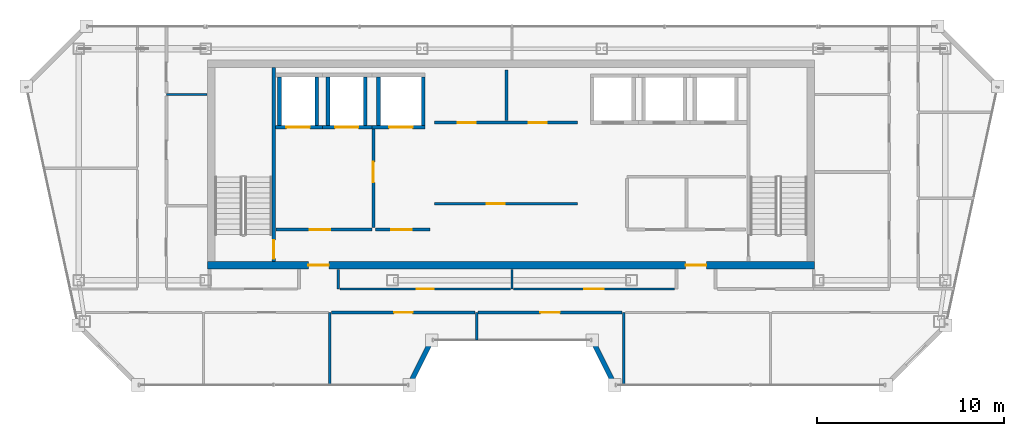
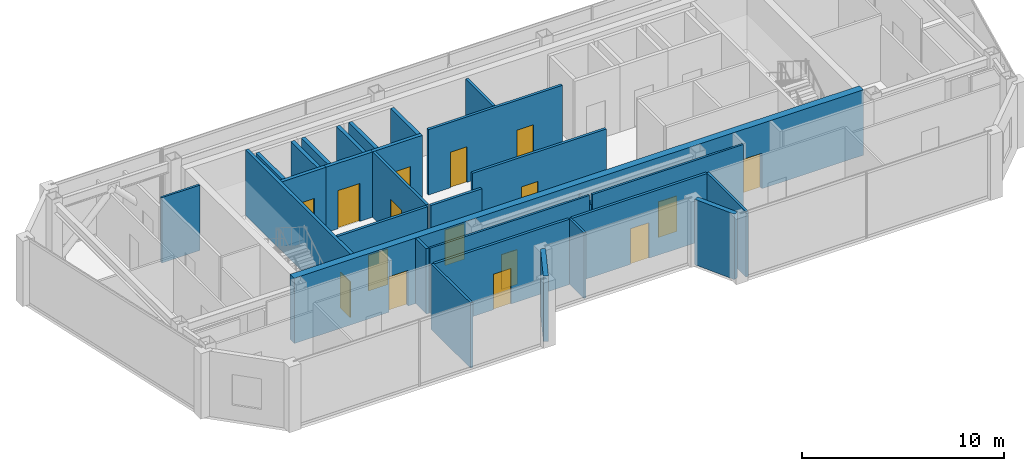
# One storey, part 15 of 20: 29 walls, 16 doors, 16 openings.
"""IFC4 building model written with IfcOpenShell, lengths in metres."""

from ifc_helpers import new_model, si_unit, direction, frame, frame_2d, origin, place, context, subcontext, project, spatial, rectangle, extrude, material, layer, layer_set, type_object, element, fill, save


model = new_model("IFC4")

# Units and contexts
model_context = context("Model", 3, precision=1e-05, world=origin(), true_north=direction((0.0, 1.0)))
body_context = subcontext(model_context, "Body", "Model", "MODEL_VIEW")
ifc_project = project(units=[si_unit("LENGTHUNIT", "METRE"), si_unit("AREAUNIT", "SQUARE_METRE"), si_unit("VOLUMEUNIT", "CUBIC_METRE"), si_unit("PLANEANGLEUNIT", "RADIAN"), si_unit("MASSUNIT", "GRAM", prefix="KILO")], contexts=[model_context])

# Site, building, storey
site_placement = place(None, origin())
site = spatial("IfcSite", under=ifc_project, at=site_placement, CompositionType="ELEMENT")
building_placement = place(site_placement, origin())
building = spatial("IfcBuilding", under=site, at=building_placement, Name="Saevonmaru Cultural Tower", CompositionType="ELEMENT")
storey_placement = place(building_placement, frame((0.0, 0.0, 319.199951171875)))
storey = spatial("IfcBuildingStorey", under=building, at=storey_placement, Name="L76", CompositionType="ELEMENT", Elevation=319.199951171875)

# Wall, openings, doors
ifc_material_1 = material(Name="Concrete C50/60", Category="concrete")
ifc_layer_1 = layer(ifc_material_1, 0.39990234375, Name="Concrete C50/60")
ifc_layer_set_1 = layer_set([ifc_layer_1], Name="Concrete C50/60")
wall_type_1 = type_object("IfcWallType", Name="WL-CORE-400", PredefinedType="SHEAR", material=ifc_layer_set_1)
wall_1_placement = place(storey_placement, frame((13.699951171875, 43.199951171875, 0.0), z_axis=(0.0, 0.0, 1.0), x_axis=(1.0, 0.0, 0.0)))
wall_1 = element("IfcWall", 1, at=wall_1_placement, inside=storey, type_object=wall_type_1, Name="L76 Tower RC core shear wall S", PredefinedType="SHEAR", context=body_context, shape_type="SweptSolid", body=[
    extrude(rectangle(XDim=32.5, YDim=0.39990234375, at=frame_2d((16.25, 0.0))), origin(), (0.0, 0.0, 1.0), 3.949951171875),
])
opening_1_placement = place(wall_1_placement, frame((5.39990234375, 0.0, 0.0)))
opening_1 = element("IfcOpeningElement", 2, at=opening_1_placement, cuts=wall_1, Name="Opening FD-2", PredefinedType="OPENING", context=body_context, shape_type="SweptSolid", body=[
    extrude(rectangle(XDim=1.10009765625, YDim=2.14990234375, at=frame_2d((0.550048828125, 1.074951171875))), frame((0.0, 0.2099609375, 0.0), z_axis=(0.0, -1.0, 0.0), x_axis=(1.0, 0.0, 0.0)), (0.0, 0.0, 1.0), 0.419921875),
])
opening_2_placement = place(wall_1_placement, frame((25.60009765625, 0.0, 0.0)))
opening_2 = element("IfcOpeningElement", 3, at=opening_2_placement, cuts=wall_1, Name="Opening FD-2", PredefinedType="OPENING", context=body_context, shape_type="SweptSolid", body=[
    extrude(rectangle(XDim=1.10009765625, YDim=2.14990234375, at=frame_2d((0.550048828125, 1.074951171875))), frame((0.0, 0.2099609375, 0.0), z_axis=(0.0, -1.0, 0.0), x_axis=(1.0, 0.0, 0.0)), (0.0, 0.0, 1.0), 0.419921875),
])
ifc_material_2 = material(Name="Satin Bronze Anodised Aluminium", Category="aluminium")
door_type_1 = type_object("IfcDoorType", Name="DR-FD60-1100", OperationType="SINGLE_SWING_LEFT", PredefinedType="DOOR", material=ifc_material_2)
door_1_placement = place(opening_1_placement, origin())
door_1 = element("IfcDoor", 4, at=door_1_placement, inside=storey, type_object=door_type_1, Name="L76 Core West Lobby Fire Door", OperationType="SINGLE_SWING_LEFT", OverallHeight=2.14990234375, OverallWidth=1.10009765625, PredefinedType="DOOR", context=body_context, shape_type="SweptSolid", body=[
    extrude(rectangle(XDim=1.10009765625, YDim=2.14990234375, at=frame_2d((0.550048828125, 1.074951171875))), frame((0.0, 0.02490234375, 0.0), z_axis=(0.0, -1.0, 0.0), x_axis=(1.0, 0.0, 0.0)), (0.0, 0.0, 1.0), 0.050048828125),
])
fill(opening_1, door_1)
door_2_placement = place(opening_2_placement, origin())
door_2 = element("IfcDoor", 5, at=door_2_placement, inside=storey, type_object=door_type_1, Name="L76 Core East Lobby Fire Door", OperationType="SINGLE_SWING_LEFT", OverallHeight=2.14990234375, OverallWidth=1.10009765625, PredefinedType="DOOR", context=body_context, shape_type="SweptSolid", body=[
    extrude(rectangle(XDim=1.10009765625, YDim=2.14990234375, at=frame_2d((0.550048828125, 1.074951171875))), frame((0.0, 0.02490234375, 0.0), z_axis=(0.0, -1.0, 0.0), x_axis=(1.0, 0.0, 0.0)), (0.0, 0.0, 1.0), 0.050048828125),
])
fill(opening_2, door_2)

# Wall, opening, door
ifc_material_3 = material(Name="Gypsum Fireboard Partition", Category="gypsum")
ifc_layer_2 = layer(ifc_material_3, 0.14990234375, Name="Gypsum Fireboard Partition")
ifc_layer_set_2 = layer_set([ifc_layer_2], Name="Gypsum Fireboard Partition")
wall_type_2 = type_object("IfcWallType", Name="WL-CORE-PART-150", PredefinedType="PARTITIONING", material=ifc_layer_set_2)
wall_2_placement = place(storey_placement, frame((17.360107421875, 45.1201171875, 0.0), z_axis=(0.0, 0.0, 1.0), x_axis=(1.0, 0.0, 0.0)))
wall_2 = element("IfcWall", 6, at=wall_2_placement, inside=storey, type_object=wall_type_2, Name="L76 Firefighting Lift Lobby South Wall", PredefinedType="PARTITIONING", context=body_context, shape_type="SweptSolid", body=[
    extrude(rectangle(XDim=5.139892578125, YDim=0.14990234375, at=frame_2d((2.56982421875, 0.0))), origin(), (0.0, 0.0, 1.0), 3.949951171875),
])
opening_3_placement = place(wall_2_placement, frame((1.800048828125, 0.0, 0.0)))
opening_3 = element("IfcOpeningElement", 7, at=opening_3_placement, cuts=wall_2, Name="Opening FD-2", PredefinedType="OPENING", context=body_context, shape_type="SweptSolid", body=[
    extrude(rectangle(XDim=1.10009765625, YDim=2.14990234375, at=frame_2d((0.550048828125, 1.074951171875))), frame((0.0, 0.0849609375, 0.0), z_axis=(0.0, -1.0, 0.0), x_axis=(1.0, 0.0, 0.0)), (0.0, 0.0, 1.0), 0.169921875),
])
door_3_placement = place(opening_3_placement, origin())
door_3 = element("IfcDoor", 8, at=door_3_placement, inside=storey, type_object=door_type_1, Name="L76 Firefighting Lift Lobby South Door", OperationType="SINGLE_SWING_LEFT", OverallHeight=2.14990234375, OverallWidth=1.10009765625, PredefinedType="DOOR", context=body_context, shape_type="SweptSolid", body=[
    extrude(rectangle(XDim=1.10009765625, YDim=2.14990234375, at=frame_2d((0.550048828125, 1.074951171875))), frame((0.0, 0.02490234375, 0.0), z_axis=(0.0, -1.0, 0.0), x_axis=(1.0, 0.0, 0.0)), (0.0, 0.0, 1.0), 0.050048828125),
])
fill(opening_3, door_3)

wall_3_placement = place(storey_placement, frame((22.580078125, 50.550048828125, 0.0), z_axis=(0.0, 0.0, 1.0), x_axis=(0.0, -1.0, 0.0)))
wall_3 = element("IfcWall", 9, at=wall_3_placement, inside=storey, type_object=wall_type_2, Name="L76 Firefighting Lift Lobby East Wall", PredefinedType="PARTITIONING", context=body_context, shape_type="SweptSolid", body=[
    extrude(rectangle(XDim=5.330078125, YDim=0.14990234375, at=frame_2d((2.6650390625, 0.0))), origin(), (0.0, 0.0, 1.0), 3.949951171875),
])
opening_4_placement = place(wall_3_placement, frame((1.800048828125, 0.0, 0.0)))
opening_4 = element("IfcOpeningElement", 10, at=opening_4_placement, cuts=wall_3, Name="Opening FD-2", PredefinedType="OPENING", context=body_context, shape_type="SweptSolid", body=[
    extrude(rectangle(XDim=1.10009765625, YDim=2.14990234375, at=frame_2d((0.550048828125, 1.074951171875))), frame((0.0, 0.0849609375, 0.0), z_axis=(0.0, -1.0, 0.0), x_axis=(1.0, 0.0, 0.0)), (0.0, 0.0, 1.0), 0.169921875),
])
door_4_placement = place(opening_4_placement, origin())
door_4 = element("IfcDoor", 11, at=door_4_placement, inside=storey, type_object=door_type_1, Name="L76 Firefighting Lift Lobby East Door", OperationType="SINGLE_SWING_LEFT", OverallHeight=2.14990234375, OverallWidth=1.10009765625, PredefinedType="DOOR", context=body_context, shape_type="SweptSolid", body=[
    extrude(rectangle(XDim=1.10009765625, YDim=2.14990234375, at=frame_2d((0.550048828125, 1.074951171875))), frame((0.0, 0.02490234375, 0.0), z_axis=(0.0, -1.0, 0.0), x_axis=(1.0, 0.0, 0.0)), (0.0, 0.0, 1.0), 0.050048828125),
])
fill(opening_4, door_4)

wall_4_placement = place(storey_placement, frame((22.679931640625, 45.1201171875, 0.0), z_axis=(0.0, 0.0, 1.0), x_axis=(1.0, 0.0, 0.0)))
wall_4 = element("IfcWall", 12, at=wall_4_placement, inside=storey, type_object=wall_type_2, Name="L76 Service Lift Vestibule Wall", PredefinedType="PARTITIONING", context=body_context, shape_type="SweptSolid", body=[
    extrude(rectangle(XDim=2.920166015625, YDim=0.14990234375, at=frame_2d((1.4599609375, 0.0))), origin(), (0.0, 0.0, 1.0), 3.949951171875),
])
opening_5_placement = place(wall_4_placement, frame((0.85009765625, 0.0, 0.0)))
opening_5 = element("IfcOpeningElement", 13, at=opening_5_placement, cuts=wall_4, Name="Opening FD-2", PredefinedType="OPENING", context=body_context, shape_type="SweptSolid", body=[
    extrude(rectangle(XDim=1.10009765625, YDim=2.14990234375, at=frame_2d((0.550048828125, 1.074951171875))), frame((0.0, 0.0849609375, 0.0), z_axis=(0.0, -1.0, 0.0), x_axis=(1.0, 0.0, 0.0)), (0.0, 0.0, 1.0), 0.169921875),
])
door_5_placement = place(opening_5_placement, origin())
door_5 = element("IfcDoor", 14, at=door_5_placement, inside=storey, type_object=door_type_1, Name="L76 Service Lift Vestibule Door", OperationType="SINGLE_SWING_LEFT", OverallHeight=2.14990234375, OverallWidth=1.10009765625, PredefinedType="DOOR", context=body_context, shape_type="SweptSolid", body=[
    extrude(rectangle(XDim=1.10009765625, YDim=2.14990234375, at=frame_2d((0.550048828125, 1.074951171875))), frame((0.0, 0.02490234375, 0.0), z_axis=(0.0, -1.0, 0.0), x_axis=(1.0, 0.0, 0.0)), (0.0, 0.0, 1.0), 0.050048828125),
])
fill(opening_5, door_5)

# Wall, openings, doors
wall_5_placement = place(storey_placement, frame((25.85009765625, 50.85009765625, 0.0), z_axis=(0.0, 0.0, 1.0), x_axis=(1.0, 0.0, 0.0)))
wall_5 = element("IfcWall", 15, at=wall_5_placement, inside=storey, type_object=wall_type_2, Name="L76 Reclaimed Core Room South Wall", PredefinedType="PARTITIONING", context=body_context, shape_type="SweptSolid", body=[
    extrude(rectangle(XDim=7.64990234375, YDim=0.14990234375, at=frame_2d((3.824951171875, 0.0))), origin(), (0.0, 0.0, 1.0), 3.949951171875),
])
opening_6_placement = place(wall_5_placement, frame((1.25, 0.0, 0.0)))
opening_6 = element("IfcOpeningElement", 16, at=opening_6_placement, cuts=wall_5, Name="Opening FD-4", PredefinedType="OPENING", context=body_context, shape_type="SweptSolid", body=[
    extrude(rectangle(XDim=0.949951171875, YDim=2.14990234375, at=frame_2d((0.47509765625, 1.074951171875))), frame((0.0, 0.0849609375, 0.0), z_axis=(0.0, -1.0, 0.0), x_axis=(1.0, 0.0, 0.0)), (0.0, 0.0, 1.0), 0.169921875),
])
opening_7_placement = place(wall_5_placement, frame((5.050048828125, 0.0, 0.0)))
opening_7 = element("IfcOpeningElement", 17, at=opening_7_placement, cuts=wall_5, Name="Opening FD-4", PredefinedType="OPENING", context=body_context, shape_type="SweptSolid", body=[
    extrude(rectangle(XDim=0.949951171875, YDim=2.14990234375, at=frame_2d((0.47509765625, 1.074951171875))), frame((0.0, 0.0849609375, 0.0), z_axis=(0.0, -1.0, 0.0), x_axis=(1.0, 0.0, 0.0)), (0.0, 0.0, 1.0), 0.169921875),
])
door_type_2 = type_object("IfcDoorType", Name="DR-FD60-950", OperationType="SINGLE_SWING_LEFT", PredefinedType="DOOR", material=ifc_material_2)
door_6_placement = place(opening_6_placement, origin())
door_6 = element("IfcDoor", 18, at=door_6_placement, inside=storey, type_object=door_type_2, Name="L76 Reclaimed Archive Vault Door", OperationType="SINGLE_SWING_LEFT", OverallHeight=2.14990234375, OverallWidth=0.949951171875, PredefinedType="DOOR", context=body_context, shape_type="SweptSolid", body=[
    extrude(rectangle(XDim=0.949951171875, YDim=2.14990234375, at=frame_2d((0.47509765625, 1.074951171875))), frame((0.0, 0.02490234375, 0.0), z_axis=(0.0, -1.0, 0.0), x_axis=(1.0, 0.0, 0.0)), (0.0, 0.0, 1.0), 0.050048828125),
])
fill(opening_6, door_6)
door_7_placement = place(opening_7_placement, origin())
door_7 = element("IfcDoor", 19, at=door_7_placement, inside=storey, type_object=door_type_2, Name="L76 Reclaimed Conservation Storage Door", OperationType="SINGLE_SWING_LEFT", OverallHeight=2.14990234375, OverallWidth=0.949951171875, PredefinedType="DOOR", context=body_context, shape_type="SweptSolid", body=[
    extrude(rectangle(XDim=0.949951171875, YDim=2.14990234375, at=frame_2d((0.47509765625, 1.074951171875))), frame((0.0, 0.02490234375, 0.0), z_axis=(0.0, -1.0, 0.0), x_axis=(1.0, 0.0, 0.0)), (0.0, 0.0, 1.0), 0.050048828125),
])
fill(opening_7, door_7)

# Wall
wall_6_placement = place(storey_placement, frame((29.699951171875, 50.949951171875, 0.0), z_axis=(0.0, 0.0, 1.0), x_axis=(0.0, 1.0, 0.0)))
element("IfcWall", 20, at=wall_6_placement, inside=storey, type_object=wall_type_2, Name="L76 Reclaimed Vault Split", PredefinedType="PARTITIONING", context=body_context, shape_type="SweptSolid", body=[
    extrude(rectangle(XDim=2.699951171875, YDim=0.14990234375, at=frame_2d((1.35009765625, 0.0))), origin(), (0.0, 0.0, 1.0), 3.949951171875),
])

# Wall, opening, door
wall_7_placement = place(storey_placement, frame((25.85009765625, 46.5, 0.0), z_axis=(0.0, 0.0, 1.0), x_axis=(1.0, 0.0, 0.0)))
wall_7 = element("IfcWall", 21, at=wall_7_placement, inside=storey, type_object=wall_type_2, Name="L76 Reclaimed Mid-Shaft Wall", PredefinedType="PARTITIONING", context=body_context, shape_type="SweptSolid", body=[
    extrude(rectangle(XDim=7.64990234375, YDim=0.14990234375, at=frame_2d((3.824951171875, 0.0))), origin(), (0.0, 0.0, 1.0), 3.949951171875),
])
opening_8_placement = place(wall_7_placement, frame((2.800048828125, 0.0, 0.0)))
opening_8 = element("IfcOpeningElement", 22, at=opening_8_placement, cuts=wall_7, Name="Opening FD-4", PredefinedType="OPENING", context=body_context, shape_type="SweptSolid", body=[
    extrude(rectangle(XDim=0.949951171875, YDim=2.14990234375, at=frame_2d((0.47509765625, 1.074951171875))), frame((0.0, 0.0849609375, 0.0), z_axis=(0.0, -1.0, 0.0), x_axis=(1.0, 0.0, 0.0)), (0.0, 0.0, 1.0), 0.169921875),
])
door_8_placement = place(opening_8_placement, origin())
door_8 = element("IfcDoor", 23, at=door_8_placement, inside=storey, type_object=door_type_2, Name="L76 Reclaimed Manuscript Storage Door", OperationType="SINGLE_SWING_LEFT", OverallHeight=2.14990234375, OverallWidth=0.949951171875, PredefinedType="DOOR", context=body_context, shape_type="SweptSolid", body=[
    extrude(rectangle(XDim=0.949951171875, YDim=2.14990234375, at=frame_2d((0.47509765625, 1.074951171875))), frame((0.0, 0.02490234375, 0.0), z_axis=(0.0, -1.0, 0.0), x_axis=(1.0, 0.0, 0.0)), (0.0, 0.0, 1.0), 0.050048828125),
])
fill(opening_8, door_8)

# Walls
ifc_material_4 = material(Name="Granite-Clad Precast Concrete C40/50", Category="masonry")
ifc_layer_3 = layer(ifc_material_4, 0.260009765625, Name="Granite-Clad Precast Concrete C40/50")
ifc_layer_set_3 = layer_set([ifc_layer_3], Name="Granite-Clad Precast Concrete C40/50")
wall_type_3 = type_object("IfcWallType", Name="WL-EXT-SPANDREL-260", PredefinedType="STANDARD", material=ifc_layer_set_3)
for number, where, z_axis, x_axis, name in (
    (24, (24.571533203125, 36.943115234375, 0.0), (0.0, 0.0, 1.0), (0.4472135955, 0.894427191, 0.0), "L76 Chamfer Corner Spandrel Wall E3"),
    (25, (34.37158203125, 39.056884765625, 0.0), (0.0, 0.0, 1.0), (0.4472135955, -0.894427191, 0.0), "L76 Chamfer Corner Spandrel Wall E5"),
):
    element("IfcWall", number, at=place(storey_placement, frame(where, z_axis=z_axis, x_axis=x_axis)), inside=storey, type_object=wall_type_3, Name=name, PredefinedType="STANDARD", context=body_context, shape_type="SweptSolid", body=[
        extrude(rectangle(XDim=2.36328125, YDim=0.260009765625, at=frame_2d((1.181640625, 0.0))), origin(), (0.0, 0.0, 1.0), 3.949951171875),
    ])
ifc_layer_4 = layer(ifc_material_3, 0.14990234375, Name="Gypsum Fireboard Partition")
ifc_layer_set_4 = layer_set([ifc_layer_4], Name="Gypsum Fireboard Partition")
wall_type_4 = type_object("IfcWallType", Name="WL-PART-FIRE-150", PredefinedType="PARTITIONING", material=ifc_layer_set_4)
wall_8_placement = place(storey_placement, frame((20.699951171875, 41.93994140625, 0.0), z_axis=(0.0, 0.0, 1.0), x_axis=(0.0, 1.0, 0.0)))
element("IfcWall", 26, at=wall_8_placement, inside=storey, type_object=wall_type_4, Name="L76 Core Portal Side Wall W2", PredefinedType="PARTITIONING", context=body_context, shape_type="SweptSolid", body=[
    extrude(rectangle(XDim=1.0400390625, YDim=0.14990234375, at=frame_2d((0.52001953125, 0.0))), origin(), (0.0, 0.0, 1.0), 3.949951171875),
])

# Wall, opening, door
wall_9_placement = place(storey_placement, frame((20.33740234375, 40.679931640625, 0.0), z_axis=(0.0, 0.0, 1.0), x_axis=(1.0, 0.0, 0.0)))
wall_9 = element("IfcWall", 27, at=wall_9_placement, inside=storey, type_object=wall_type_4, Name="L76 Media Screening Auditorium Corridor Wall", PredefinedType="PARTITIONING", context=body_context, shape_type="SweptSolid", body=[
    extrude(rectangle(XDim=7.692626953125, YDim=0.14990234375, at=frame_2d((3.84619140625, 0.0))), origin(), (0.0, 0.0, 1.0), 3.949951171875),
])
opening_9_placement = place(wall_9_placement, frame((3.345947265625, 0.0, 0.0)))
opening_9 = element("IfcOpeningElement", 28, at=opening_9_placement, cuts=wall_9, Name="Opening ID-1B", PredefinedType="OPENING", context=body_context, shape_type="SweptSolid", body=[
    extrude(rectangle(XDim=1.0, YDim=2.14990234375, at=frame_2d((0.5, 1.074951171875))), frame((0.0, 0.0849609375, 0.0), z_axis=(0.0, -1.0, 0.0), x_axis=(1.0, 0.0, 0.0)), (0.0, 0.0, 1.0), 0.169921875),
])
ifc_material_5 = material(Name="Acoustic Stained Oak Timber", Category="wood")
door_type_3 = type_object("IfcDoorType", Name="DR-INT-1000", OperationType="SINGLE_SWING_RIGHT", PredefinedType="DOOR", material=ifc_material_5)
door_9_placement = place(opening_9_placement, origin())
door_9 = element("IfcDoor", 29, at=door_9_placement, inside=storey, type_object=door_type_3, Name="L76 Media Screening Auditorium Door", OperationType="SINGLE_SWING_LEFT", OverallHeight=2.14990234375, OverallWidth=1.0, PredefinedType="DOOR", context=body_context, shape_type="SweptSolid", body=[
    extrude(rectangle(XDim=1.0, YDim=2.14990234375, at=frame_2d((0.5, 1.074951171875))), frame((0.0, 0.02490234375, 0.0), z_axis=(0.0, -1.0, 0.0), x_axis=(1.0, 0.0, 0.0)), (0.0, 0.0, 1.0), 0.050048828125),
])
fill(opening_9, door_9)

wall_10_placement = place(storey_placement, frame((28.18994140625, 40.679931640625, 0.0), z_axis=(0.0, 0.0, 1.0), x_axis=(1.0, 0.0, 0.0)))
wall_10 = element("IfcWall", 30, at=wall_10_placement, inside=storey, type_object=wall_type_4, Name="L76 Visual Arts Critique Gallery Corridor Wall", PredefinedType="PARTITIONING", context=body_context, shape_type="SweptSolid", body=[
    extrude(rectangle(XDim=7.70263671875, YDim=0.14990234375, at=frame_2d((3.851318359375, 0.0))), origin(), (0.0, 0.0, 1.0), 3.949951171875),
])
opening_10_placement = place(wall_10_placement, frame((3.325927734375, 0.0, 0.0)))
opening_10 = element("IfcOpeningElement", 31, at=opening_10_placement, cuts=wall_10, Name="Opening ID-1", PredefinedType="OPENING", context=body_context, shape_type="SweptSolid", body=[
    extrude(rectangle(XDim=1.050048828125, YDim=2.14990234375, at=frame_2d((0.52490234375, 1.074951171875))), frame((0.0, 0.0849609375, 0.0), z_axis=(0.0, -1.0, 0.0), x_axis=(1.0, 0.0, 0.0)), (0.0, 0.0, 1.0), 0.169921875),
])
door_type_4 = type_object("IfcDoorType", Name="DR-INT-1050", OperationType="SINGLE_SWING_LEFT", PredefinedType="DOOR", material=ifc_material_2)
door_10_placement = place(opening_10_placement, origin())
door_10 = element("IfcDoor", 32, at=door_10_placement, inside=storey, type_object=door_type_4, Name="L76 Visual Arts Critique Gallery Door", OperationType="SINGLE_SWING_RIGHT", OverallHeight=2.14990234375, OverallWidth=1.050048828125, PredefinedType="DOOR", context=body_context, shape_type="SweptSolid", body=[
    extrude(rectangle(XDim=1.050048828125, YDim=2.14990234375, at=frame_2d((0.52490234375, 1.074951171875))), frame((0.0, 0.02490234375, 0.0), z_axis=(0.0, -1.0, 0.0), x_axis=(1.0, 0.0, 0.0)), (0.0, 0.0, 1.0), 0.050048828125),
])
fill(opening_10, door_10)

# Walls
ifc_layer_5 = layer(ifc_material_3, 0.1201171875, Name="Gypsum Fireboard Partition")
ifc_layer_set_5 = layer_set([ifc_layer_5], Name="Gypsum Fireboard Partition")
wall_type_5 = type_object("IfcWallType", Name="WL-PART-GYP-120", PredefinedType="PARTITIONING", material=ifc_layer_set_5)
wall_11_placement = place(storey_placement, frame((11.5, 52.35009765625, 0.0), z_axis=(0.0, 0.0, 1.0), x_axis=(1.0, 0.0, 0.0)))
element("IfcWall", 33, at=wall_11_placement, inside=storey, type_object=wall_type_5, Name="L76 North-West Panorama South Wall", PredefinedType="PARTITIONING", context=body_context, shape_type="SweptSolid", body=[
    extrude(rectangle(XDim=2.179931640625, YDim=0.1201171875, at=frame_2d((1.08984375, 0.0))), origin(), (0.0, 0.0, 1.0), 3.949951171875),
])
wall_12_placement = place(storey_placement, frame((30.0, 41.93994140625, 0.0), z_axis=(0.0, 0.0, 1.0), x_axis=(0.0, 1.0, 0.0)))
element("IfcWall", 34, at=wall_12_placement, inside=storey, type_object=wall_type_5, Name="L76 Spine Alcove Split", PredefinedType="PARTITIONING", context=body_context, shape_type="SweptSolid", body=[
    extrude(rectangle(XDim=1.0400390625, YDim=0.1201171875, at=frame_2d((0.52001953125, 0.0))), origin(), (0.0, 0.0, 1.0), 3.34716796875),
])

# Wall, opening, door
wall_13_placement = place(storey_placement, frame((20.794921875, 41.93994140625, 0.0), z_axis=(0.0, 0.0, 1.0), x_axis=(1.0, 0.0, 0.0)))
wall_13 = element("IfcWall", 35, at=wall_13_placement, inside=storey, type_object=wall_type_5, Name="L76 Digital Media Classroom Corridor Wall", PredefinedType="PARTITIONING", context=body_context, shape_type="SweptSolid", body=[
    extrude(rectangle(XDim=9.125, YDim=0.1201171875, at=frame_2d((4.5625, 0.0))), origin(), (0.0, 0.0, 1.0), 3.949951171875),
])
opening_11_placement = place(wall_13_placement, frame((4.112060546875, 0.0, 0.0)))
opening_11 = element("IfcOpeningElement", 36, at=opening_11_placement, cuts=wall_13, Name="Opening ID-2", PredefinedType="OPENING", context=body_context, shape_type="SweptSolid", body=[
    extrude(rectangle(XDim=0.89990234375, YDim=2.10009765625, at=frame_2d((0.449951171875, 1.050048828125))), frame((0.0, 0.070068359375, 0.0), z_axis=(0.0, -1.0, 0.0), x_axis=(1.0, 0.0, 0.0)), (0.0, 0.0, 1.0), 0.14013671875),
])
door_type_5 = type_object("IfcDoorType", Name="DR-INT-900", OperationType="SINGLE_SWING_RIGHT", PredefinedType="DOOR", material=ifc_material_5)
door_11_placement = place(opening_11_placement, origin())
door_11 = element("IfcDoor", 37, at=door_11_placement, inside=storey, type_object=door_type_5, Name="L76 Digital Media Classroom Door", OperationType="SINGLE_SWING_RIGHT", OverallHeight=2.10009765625, OverallWidth=0.89990234375, PredefinedType="DOOR", context=body_context, shape_type="SweptSolid", body=[
    extrude(rectangle(XDim=0.89990234375, YDim=2.10009765625, at=frame_2d((0.449951171875, 1.050048828125))), frame((0.0, 0.02490234375, 0.0), z_axis=(0.0, -1.0, 0.0), x_axis=(1.0, 0.0, 0.0)), (0.0, 0.0, 1.0), 0.050048828125),
])
fill(opening_11, door_11)

wall_14_placement = place(storey_placement, frame((30.080078125, 41.93994140625, 0.0), z_axis=(0.0, 0.0, 1.0), x_axis=(1.0, 0.0, 0.0)))
wall_14 = element("IfcWall", 38, at=wall_14_placement, inside=storey, type_object=wall_type_5, Name="L76 Cartographic Study Library Corridor Wall", PredefinedType="PARTITIONING", context=body_context, shape_type="SweptSolid", body=[
    extrude(rectangle(XDim=8.625, YDim=0.1201171875, at=frame_2d((4.3125, 0.0))), origin(), (0.0, 0.0, 1.0), 3.949951171875),
])
opening_12_placement = place(wall_14_placement, frame((3.7880859375, 0.0, 0.0)))
opening_12 = element("IfcOpeningElement", 39, at=opening_12_placement, cuts=wall_14, Name="Opening ID-1", PredefinedType="OPENING", context=body_context, shape_type="SweptSolid", body=[
    extrude(rectangle(XDim=1.050048828125, YDim=2.14990234375, at=frame_2d((0.52490234375, 1.074951171875))), frame((0.0, 0.070068359375, 0.0), z_axis=(0.0, -1.0, 0.0), x_axis=(1.0, 0.0, 0.0)), (0.0, 0.0, 1.0), 0.14013671875),
])
door_12_placement = place(opening_12_placement, origin())
door_12 = element("IfcDoor", 40, at=door_12_placement, inside=storey, type_object=door_type_4, Name="L76 Cartographic Study Library Door", OperationType="SINGLE_SWING_LEFT", OverallHeight=2.14990234375, OverallWidth=1.050048828125, PredefinedType="DOOR", context=body_context, shape_type="SweptSolid", body=[
    extrude(rectangle(XDim=1.050048828125, YDim=2.14990234375, at=frame_2d((0.52490234375, 1.074951171875))), frame((0.0, 0.02490234375, 0.0), z_axis=(0.0, -1.0, 0.0), x_axis=(1.0, 0.0, 0.0)), (0.0, 0.0, 1.0), 0.050048828125),
])
fill(opening_12, door_12)

# Walls
wall_15_placement = place(storey_placement, frame((28.110107421875, 39.205078125, 0.0), z_axis=(0.0, 0.0, 1.0), x_axis=(0.0, 1.0, 0.0)))
element("IfcWall", 41, at=wall_15_placement, inside=storey, type_object=wall_type_5, Name="L76 Observatory Bay Divider 3", PredefinedType="PARTITIONING", context=body_context, shape_type="SweptSolid", body=[
    extrude(rectangle(XDim=1.474853515625, YDim=0.1201171875, at=frame_2d((0.7373046875, 0.0))), origin(), (0.0, 0.0, 1.0), 3.949951171875),
])
ifc_layer_6 = layer(ifc_material_3, 0.135009765625, Name="Gypsum Fireboard Partition")
ifc_layer_set_6 = layer_set([ifc_layer_6], Name="Gypsum Fireboard Partition")
wall_type_6 = type_object("IfcWallType", Name="WL-PART-GYP-135", PredefinedType="PARTITIONING", material=ifc_layer_set_6)
for number, where, z_axis, x_axis, name in (
    (42, (20.25, 36.804931640625, 0.0), (0.0, 0.0, 1.0), (0.0, 1.0, 0.0), "L76 Observatory Bay Divider 2"),
    (43, (35.97998046875, 36.804931640625, 0.0), (0.0, 0.0, 1.0), (0.0, 1.0, 0.0), "L76 Observatory Bay Divider 4"),
):
    element("IfcWall", number, at=place(storey_placement, frame(where, z_axis=z_axis, x_axis=x_axis)), inside=storey, type_object=wall_type_6, Name=name, PredefinedType="PARTITIONING", context=body_context, shape_type="SweptSolid", body=[
        extrude(rectangle(XDim=3.875, YDim=0.135009765625, at=frame_2d((1.9375, 0.0))), origin(), (0.0, 0.0, 1.0), 3.949951171875),
    ])

# Wall, opening, door
ifc_material_6 = material(Name="Concrete C40/50", Category="concrete")
ifc_layer_7 = layer(ifc_material_6, 0.199951171875, Name="Concrete C40/50")
ifc_layer_set_7 = layer_set([ifc_layer_7], Name="Concrete C40/50")
wall_type_7 = type_object("IfcWallType", Name="WL-SHAFT-200", PredefinedType="SHEAR", material=ifc_layer_set_7)
wall_16_placement = place(storey_placement, frame((17.330078125, 50.60009765625, 0.0), z_axis=(0.0, 0.0, 1.0), x_axis=(1.0, 0.0, 0.0)))
wall_16 = element("IfcWall", 44, at=wall_16_placement, inside=storey, type_object=wall_type_7, Name="L76 Lift FFL-1 Hoistway Wall S", PredefinedType="SHEAR", context=body_context, shape_type="SweptSolid", body=[
    extrude(rectangle(XDim=2.52001953125, YDim=0.199951171875, at=frame_2d((1.260009765625, 0.0))), origin(), (0.0, 0.0, 1.0), 3.949951171875),
])
opening_13_placement = place(wall_16_placement, frame((0.594970703125, 0.0, 0.0)))
opening_13 = element("IfcOpeningElement", 45, at=opening_13_placement, cuts=wall_16, Name="Opening LD-2", PredefinedType="OPENING", context=body_context, shape_type="SweptSolid", body=[
    extrude(rectangle(XDim=1.25, YDim=2.300048828125, at=frame_2d((0.625, 1.14990234375))), frame((0.0, 0.10986328125, 0.0), z_axis=(0.0, -1.0, 0.0), x_axis=(1.0, 0.0, 0.0)), (0.0, 0.0, 1.0), 0.219970703125),
])
ifc_material_7 = material(Name="Stainless Steel 316", Category="steel")
door_type_6 = type_object("IfcDoorType", Name="DR-LIFT-1250", OperationType="SLIDING_TO_LEFT", PredefinedType="DOOR", material=ifc_material_7)
door_13_placement = place(opening_13_placement, origin())
door_13 = element("IfcDoor", 46, at=door_13_placement, inside=storey, type_object=door_type_6, Name="L76 Lift FFL-1 Sliding Landing Door", OperationType="SLIDING_TO_LEFT", OverallHeight=2.300048828125, OverallWidth=1.25, PredefinedType="DOOR", context=body_context, shape_type="SweptSolid", body=[
    extrude(rectangle(XDim=1.25, YDim=2.300048828125, at=frame_2d((0.625, 1.14990234375))), frame((0.0, 0.02490234375, 0.0), z_axis=(0.0, -1.0, 0.0), x_axis=(1.0, 0.0, 0.0)), (0.0, 0.0, 1.0), 0.050048828125),
])
fill(opening_13, door_13)

# Walls
for number, where, z_axis, x_axis, name in (
    (47, (17.550048828125, 50.699951171875, 0.0), (0.0, 0.0, 1.0), (0.0, 1.0, 0.0), "L76 Lift FFL-1 Hoistway Wall W"),
    (48, (19.550048828125, 50.699951171875, 0.0), (0.0, 0.0, 1.0), (0.0, 1.0, 0.0), "L76 Lift FFL-1 Hoistway Wall E"),
):
    element("IfcWall", number, at=place(storey_placement, frame(where, z_axis=z_axis, x_axis=x_axis)), inside=storey, type_object=wall_type_7, Name=name, PredefinedType="SHEAR", context=body_context, shape_type="SweptSolid", body=[
        extrude(rectangle(XDim=2.60009765625, YDim=0.199951171875, at=frame_2d((1.300048828125, 0.0))), origin(), (0.0, 0.0, 1.0), 3.949951171875),
    ])

# Wall, opening, door
wall_17_placement = place(storey_placement, frame((19.85009765625, 50.60009765625, 0.0), z_axis=(0.0, 0.0, 1.0), x_axis=(1.0, 0.0, 0.0)))
wall_17 = element("IfcWall", 49, at=wall_17_placement, inside=storey, type_object=wall_type_7, Name="L76 Lift FFL-2 Hoistway Wall S", PredefinedType="SHEAR", context=body_context, shape_type="SweptSolid", body=[
    extrude(rectangle(XDim=2.64990234375, YDim=0.199951171875, at=frame_2d((1.324951171875, 0.0))), origin(), (0.0, 0.0, 1.0), 3.949951171875),
])
opening_14_placement = place(wall_17_placement, frame((0.675048828125, 0.0, 0.0)))
opening_14 = element("IfcOpeningElement", 50, at=opening_14_placement, cuts=wall_17, Name="Opening LD-2", PredefinedType="OPENING", context=body_context, shape_type="SweptSolid", body=[
    extrude(rectangle(XDim=1.25, YDim=2.300048828125, at=frame_2d((0.625, 1.14990234375))), frame((0.0, 0.10986328125, 0.0), z_axis=(0.0, -1.0, 0.0), x_axis=(1.0, 0.0, 0.0)), (0.0, 0.0, 1.0), 0.219970703125),
])
door_14_placement = place(opening_14_placement, origin())
door_14 = element("IfcDoor", 51, at=door_14_placement, inside=storey, type_object=door_type_6, Name="L76 Lift FFL-2 Sliding Landing Door", OperationType="SLIDING_TO_LEFT", OverallHeight=2.300048828125, OverallWidth=1.25, PredefinedType="DOOR", context=body_context, shape_type="SweptSolid", body=[
    extrude(rectangle(XDim=1.25, YDim=2.300048828125, at=frame_2d((0.625, 1.14990234375))), frame((0.0, 0.02490234375, 0.0), z_axis=(0.0, -1.0, 0.0), x_axis=(1.0, 0.0, 0.0)), (0.0, 0.0, 1.0), 0.050048828125),
])
fill(opening_14, door_14)

# Walls
for number, where, z_axis, x_axis, name in (
    (52, (20.14990234375, 50.699951171875, 0.0), (0.0, 0.0, 1.0), (0.0, 1.0, 0.0), "L76 Lift FFL-2 Hoistway Wall W"),
    (53, (22.14990234375, 50.699951171875, 0.0), (0.0, 0.0, 1.0), (0.0, 1.0, 0.0), "L76 Lift FFL-2 Hoistway Wall E"),
):
    element("IfcWall", number, at=place(storey_placement, frame(where, z_axis=z_axis, x_axis=x_axis)), inside=storey, type_object=wall_type_7, Name=name, PredefinedType="SHEAR", context=body_context, shape_type="SweptSolid", body=[
        extrude(rectangle(XDim=2.60009765625, YDim=0.199951171875, at=frame_2d((1.300048828125, 0.0))), origin(), (0.0, 0.0, 1.0), 3.949951171875),
    ])

# Wall, opening, door
wall_18_placement = place(storey_placement, frame((22.5, 50.60009765625, 0.0), z_axis=(0.0, 0.0, 1.0), x_axis=(1.0, 0.0, 0.0)))
wall_18 = element("IfcWall", 54, at=wall_18_placement, inside=storey, type_object=wall_type_7, Name="L76 Lift GL-1 Hoistway Wall S", PredefinedType="SHEAR", context=body_context, shape_type="SweptSolid", body=[
    extrude(rectangle(XDim=2.85009765625, YDim=0.199951171875, at=frame_2d((1.425048828125, 0.0))), origin(), (0.0, 0.0, 1.0), 3.949951171875),
])
opening_15_placement = place(wall_18_placement, frame((0.925048828125, 0.0, 0.0)))
opening_15 = element("IfcOpeningElement", 55, at=opening_15_placement, cuts=wall_18, Name="Opening LD-2", PredefinedType="OPENING", context=body_context, shape_type="SweptSolid", body=[
    extrude(rectangle(XDim=1.25, YDim=2.300048828125, at=frame_2d((0.625, 1.14990234375))), frame((0.0, 0.10986328125, 0.0), z_axis=(0.0, -1.0, 0.0), x_axis=(1.0, 0.0, 0.0)), (0.0, 0.0, 1.0), 0.219970703125),
])
door_15_placement = place(opening_15_placement, origin())
door_15 = element("IfcDoor", 56, at=door_15_placement, inside=storey, type_object=door_type_6, Name="L76 Lift GL-1 Sliding Landing Door", OperationType="SLIDING_TO_LEFT", OverallHeight=2.300048828125, OverallWidth=1.25, PredefinedType="DOOR", context=body_context, shape_type="SweptSolid", body=[
    extrude(rectangle(XDim=1.25, YDim=2.300048828125, at=frame_2d((0.625, 1.14990234375))), frame((0.0, 0.02490234375, 0.0), z_axis=(0.0, -1.0, 0.0), x_axis=(1.0, 0.0, 0.0)), (0.0, 0.0, 1.0), 0.050048828125),
])
fill(opening_15, door_15)

# Walls
for number, where, z_axis, x_axis, name in (
    (57, (22.85009765625, 50.699951171875, 0.0), (0.0, 0.0, 1.0), (0.0, 1.0, 0.0), "L76 Lift GL-1 Hoistway Wall W"),
    (58, (25.25, 50.699951171875, 0.0), (0.0, 0.0, 1.0), (0.0, 1.0, 0.0), "L76 Lift GL-1 Hoistway Wall E"),
):
    element("IfcWall", number, at=place(storey_placement, frame(where, z_axis=z_axis, x_axis=x_axis)), inside=storey, type_object=wall_type_7, Name=name, PredefinedType="SHEAR", context=body_context, shape_type="SweptSolid", body=[
        extrude(rectangle(XDim=2.60009765625, YDim=0.199951171875, at=frame_2d((1.300048828125, 0.0))), origin(), (0.0, 0.0, 1.0), 3.949951171875),
    ])

# Wall, opening, door
ifc_layer_8 = layer(ifc_material_6, 0.179931640625, Name="Concrete C40/50")
ifc_layer_set_8 = layer_set([ifc_layer_8], Name="Concrete C40/50")
wall_type_8 = type_object("IfcWallType", Name="WL-STSHAFT-180", PredefinedType="SHEAR", material=ifc_layer_set_8)
wall_19_placement = place(storey_placement, frame((17.239990234375, 43.39990234375, 0.0), z_axis=(0.0, 0.0, 1.0), x_axis=(0.0, 1.0, 0.0)))
wall_19 = element("IfcWall", 59, at=wall_19_placement, inside=storey, type_object=wall_type_8, Name="L76 Stair ST-1 Structural Shaft Wall 1", PredefinedType="SHEAR", context=body_context, shape_type="SweptSolid", body=[
    extrude(rectangle(XDim=10.400146484375, YDim=0.179931640625, at=frame_2d((5.2001953125, 0.0))), origin(), (0.0, 0.0, 1.0), 3.949951171875),
])
opening_16_placement = place(wall_19_placement, frame((0.159912109375, 0.0, 0.0)))
opening_16 = element("IfcOpeningElement", 60, at=opening_16_placement, cuts=wall_19, Name="Opening FD-3", PredefinedType="OPENING", context=body_context, shape_type="SweptSolid", body=[
    extrude(rectangle(XDim=1.0, YDim=2.14990234375, at=frame_2d((0.5, 1.074951171875))), frame((0.0, 0.10009765625, 0.0), z_axis=(0.0, -1.0, 0.0), x_axis=(1.0, 0.0, 0.0)), (0.0, 0.0, 1.0), 0.199951171875),
])
door_type_7 = type_object("IfcDoorType", Name="DR-FD60-1000", OperationType="SINGLE_SWING_RIGHT", PredefinedType="DOOR", material=ifc_material_2)
door_16_placement = place(opening_16_placement, origin())
door_16 = element("IfcDoor", 61, at=door_16_placement, inside=storey, type_object=door_type_7, Name="L76 Protected Stair ST-1 Fire Door", OperationType="SINGLE_SWING_RIGHT", OverallHeight=2.14990234375, OverallWidth=1.0, PredefinedType="DOOR", context=body_context, shape_type="SweptSolid", body=[
    extrude(rectangle(XDim=1.0, YDim=2.14990234375, at=frame_2d((0.5, 1.074951171875))), frame((0.0, 0.02490234375, 0.0), z_axis=(0.0, -1.0, 0.0), x_axis=(1.0, 0.0, 0.0)), (0.0, 0.0, 1.0), 0.050048828125),
])
fill(opening_16, door_16)

save(model, "model.ifc")
